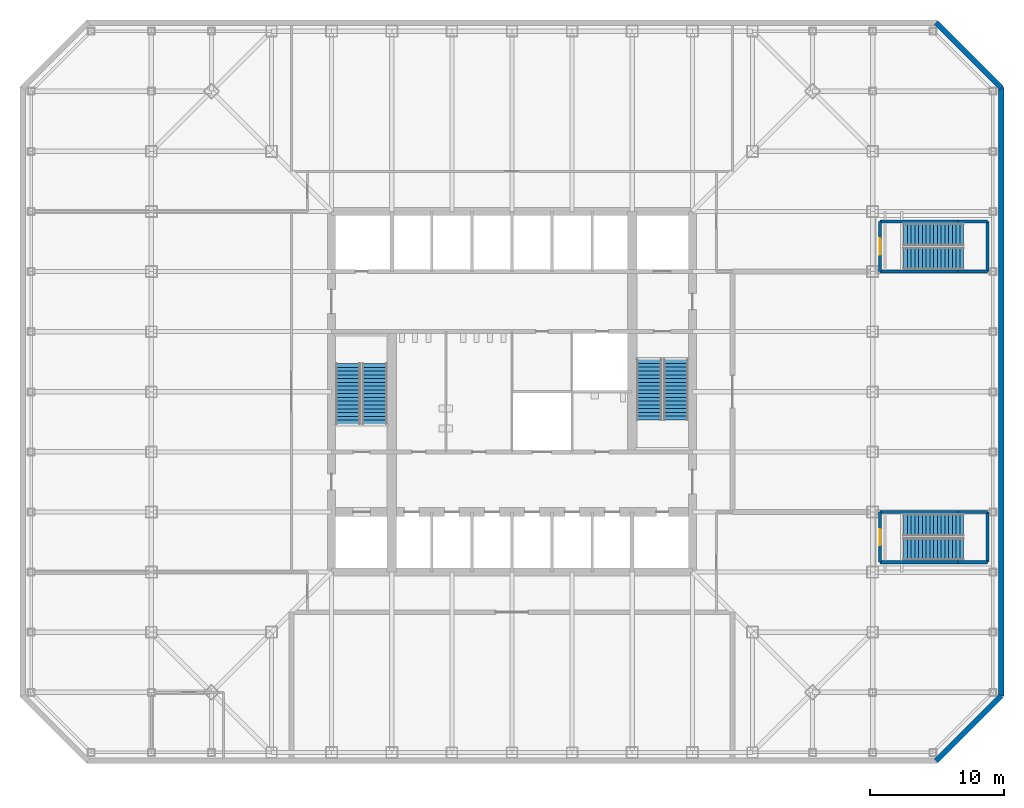
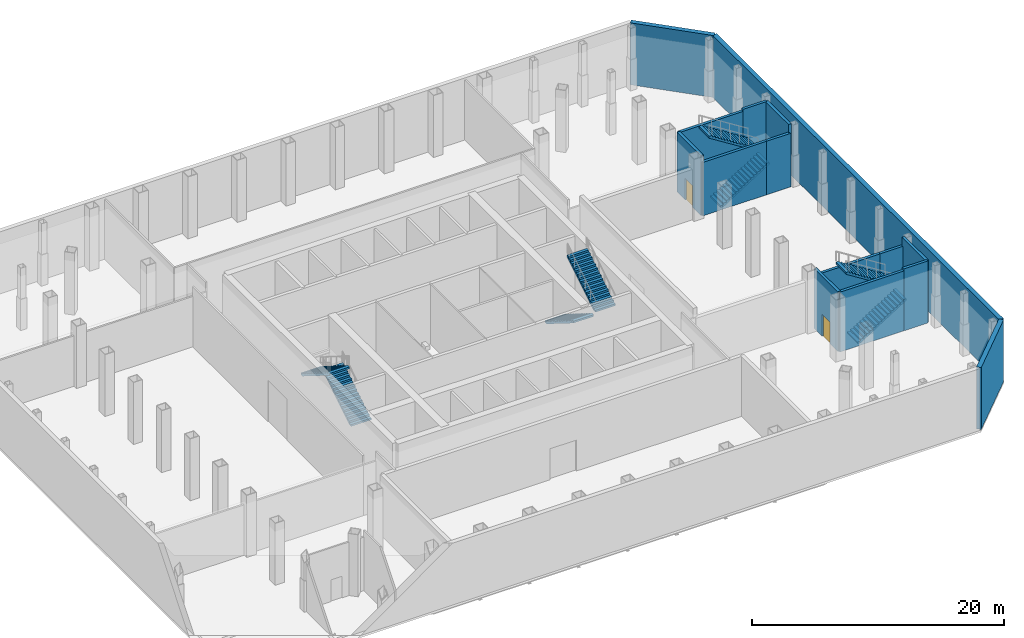
# One storey, part 9 of 12: 15 walls, 8 stair flights, 2 doors, 2 openings, 4 elements without a shape of their own.
"""IFC4 building model written with IfcOpenShell, lengths in metres."""

from ifc_helpers import new_model, si_unit, direction, frame, frame_2d, origin, place, context, subcontext, project, spatial, polyline, rectangle, outline, extrude, material, layer, layer_set, type_object, element, fill, aggregate, save


model = new_model("IFC4")

# Units and contexts
model_context = context("Model", 3, precision=1e-05, world=origin(), true_north=direction((0.0, 1.0)))
body_context = subcontext(model_context, "Body", "Model", "MODEL_VIEW")
ifc_project = project(units=[si_unit("LENGTHUNIT", "METRE"), si_unit("AREAUNIT", "SQUARE_METRE"), si_unit("VOLUMEUNIT", "CUBIC_METRE"), si_unit("PLANEANGLEUNIT", "RADIAN"), si_unit("MASSUNIT", "GRAM", prefix="KILO")], contexts=[model_context])

# Site, building, storey
site_placement = place(None, origin())
site = spatial("IfcSite", under=ifc_project, at=site_placement, CompositionType="ELEMENT")
building_placement = place(site_placement, origin())
building = spatial("IfcBuilding", under=site, at=building_placement, Name="Corais Broadcast Tower", CompositionType="ELEMENT")
storey_placement = place(building_placement, frame((0.0, 0.0, 6.0)))
storey = spatial("IfcBuildingStorey", under=building, at=storey_placement, Name="L01", CompositionType="ELEMENT", Elevation=6.0)

# Walls
ifc_material_1 = material(Name="Concrete blockwork class A", Category="masonry")
ifc_layer_1 = layer(ifc_material_1, 0.25)
ifc_layer_set_1 = layer_set([ifc_layer_1], Name="Concrete blockwork class A")
wall_type_1 = type_object("IfcWallType", Name="Stair enclosure blockwork 250", PredefinedType="PARTITIONING", material=ifc_layer_set_1)
wall_1_placement = place(storey_placement, frame((54.550048828125, 14.25, 0.0), z_axis=(0.0, 0.0, 1.0), x_axis=(1.0, 0.0, 0.0)))
element("IfcWall", 1, at=wall_1_placement, inside=storey, type_object=wall_type_1, Name="IW6 stair D enclosure L01", PredefinedType="PARTITIONING", context=body_context, shape_type="SweptSolid", body=[
    extrude(rectangle(XDim=5.849853515625, YDim=0.25, at=frame_2d((2.9248046875, 0.0))), origin(), (0.0, 0.0, 1.0), 5.800048828125),
])
wall_2_placement = place(storey_placement, frame((60.39990234375, 18.0, 0.0), z_axis=(0.0, 0.0, 1.0), x_axis=(-1.0, 0.0, 0.0)))
element("IfcWall", 2, at=wall_2_placement, inside=storey, type_object=wall_type_1, Name="IW6 stair D enclosure L01", PredefinedType="PARTITIONING", context=body_context, shape_type="SweptSolid", body=[
    extrude(rectangle(XDim=5.849853515625, YDim=0.25, at=frame_2d((2.9248046875, 0.0))), origin(), (0.0, 0.0, 1.0), 5.18896484375),
])

# Wall, opening, door
wall_3_placement = place(storey_placement, frame((54.550048828125, 18.0, 0.0), z_axis=(0.0, 0.0, 1.0), x_axis=(0.0, -1.0, 0.0)))
wall_3 = element("IfcWall", 3, at=wall_3_placement, inside=storey, type_object=wall_type_1, Name="IW6 stair D enclosure L01", PredefinedType="PARTITIONING", context=body_context, shape_type="SweptSolid", body=[
    extrude(rectangle(XDim=3.75, YDim=0.25, at=frame_2d((1.875, 0.0))), origin(), (0.0, 0.0, 1.0), 5.800048828125),
])
opening_1_placement = place(wall_3_placement, frame((1.27490234375, 0.0, 0.0)))
opening_1 = element("IfcOpeningElement", 4, at=opening_1_placement, cuts=wall_3, Name="Opening FD1", PredefinedType="OPENING", context=body_context, shape_type="SweptSolid", body=[
    extrude(rectangle(XDim=1.199951171875, YDim=2.10009765625, at=frame_2d((0.60009765625, 1.050048828125))), frame((0.0, 0.135009765625, 0.0), z_axis=(0.0, -1.0, 0.0), x_axis=(1.0, 0.0, 0.0)), (0.0, 0.0, 1.0), 0.27001953125),
])
ifc_material_2 = material(Name="Steel fire door", Category="steel")
door_type = type_object("IfcDoorType", Name="Fire door 1200x2100", OperationType="SINGLE_SWING_LEFT", PredefinedType="DOOR", material=ifc_material_2)
door_1_placement = place(opening_1_placement, origin())
door_1 = element("IfcDoor", 5, at=door_1_placement, inside=storey, type_object=door_type, Name="FD1 stair D door L01", OperationType="SINGLE_SWING_LEFT", OverallHeight=2.10009765625, OverallWidth=1.199951171875, PredefinedType="DOOR", context=body_context, shape_type="SweptSolid", body=[
    extrude(rectangle(XDim=1.199951171875, YDim=2.10009765625, at=frame_2d((0.60009765625, 1.050048828125))), frame((0.0, 0.02490234375, 0.0), z_axis=(0.0, -1.0, 0.0), x_axis=(1.0, 0.0, 0.0)), (0.0, 0.0, 1.0), 0.050048828125),
])
fill(opening_1, door_1)

# Walls
wall_4_placement = place(storey_placement, frame((54.550048828125, 36.0, 0.0), z_axis=(0.0, 0.0, 1.0), x_axis=(1.0, 0.0, 0.0)))
element("IfcWall", 6, at=wall_4_placement, inside=storey, type_object=wall_type_1, Name="IW6 stair E enclosure L01", PredefinedType="PARTITIONING", context=body_context, shape_type="SweptSolid", body=[
    extrude(rectangle(XDim=5.849853515625, YDim=0.25, at=frame_2d((2.9248046875, 0.0))), origin(), (0.0, 0.0, 1.0), 5.18896484375),
])
wall_5_placement = place(storey_placement, frame((60.39990234375, 39.75, 0.0), z_axis=(0.0, 0.0, 1.0), x_axis=(-1.0, 0.0, 0.0)))
element("IfcWall", 7, at=wall_5_placement, inside=storey, type_object=wall_type_1, Name="IW6 stair E enclosure L01", PredefinedType="PARTITIONING", context=body_context, shape_type="SweptSolid", body=[
    extrude(rectangle(XDim=5.849853515625, YDim=0.25, at=frame_2d((2.9248046875, 0.0))), origin(), (0.0, 0.0, 1.0), 5.800048828125),
])

# Wall, opening, door
wall_6_placement = place(storey_placement, frame((54.550048828125, 39.75, 0.0), z_axis=(0.0, 0.0, 1.0), x_axis=(0.0, -1.0, 0.0)))
wall_6 = element("IfcWall", 8, at=wall_6_placement, inside=storey, type_object=wall_type_1, Name="IW6 stair E enclosure L01", PredefinedType="PARTITIONING", context=body_context, shape_type="SweptSolid", body=[
    extrude(rectangle(XDim=3.75, YDim=0.25, at=frame_2d((1.875, 0.0))), origin(), (0.0, 0.0, 1.0), 5.800048828125),
])
opening_2_placement = place(wall_6_placement, frame((1.27490234375, 0.0, 0.0)))
opening_2 = element("IfcOpeningElement", 9, at=opening_2_placement, cuts=wall_6, Name="Opening FD1", PredefinedType="OPENING", context=body_context, shape_type="SweptSolid", body=[
    extrude(rectangle(XDim=1.199951171875, YDim=2.10009765625, at=frame_2d((0.60009765625, 1.050048828125))), frame((0.0, 0.135009765625, 0.0), z_axis=(0.0, -1.0, 0.0), x_axis=(1.0, 0.0, 0.0)), (0.0, 0.0, 1.0), 0.27001953125),
])
door_2_placement = place(opening_2_placement, origin())
door_2 = element("IfcDoor", 10, at=door_2_placement, inside=storey, type_object=door_type, Name="FD1 stair E door L01", OperationType="SINGLE_SWING_LEFT", OverallHeight=2.10009765625, OverallWidth=1.199951171875, PredefinedType="DOOR", context=body_context, shape_type="SweptSolid", body=[
    extrude(rectangle(XDim=1.199951171875, YDim=2.10009765625, at=frame_2d((0.60009765625, 1.050048828125))), frame((0.0, 0.02490234375, 0.0), z_axis=(0.0, -1.0, 0.0), x_axis=(1.0, 0.0, 0.0)), (0.0, 0.0, 1.0), 0.050048828125),
])
fill(opening_2, door_2)

# Walls
ifc_material_3 = material(Name="Concrete C40/50", Category="concrete")
ifc_layer_2 = layer(ifc_material_3, 0.25)
ifc_layer_set_2 = layer_set([ifc_layer_2], Name="Concrete C40/50")
wall_type_2 = type_object("IfcWallType", Name="Stair enclosure wall 250", PredefinedType="SOLIDWALL", material=ifc_layer_set_2)
wall_7_placement = place(storey_placement, frame((60.39990234375, 14.25, 0.0), z_axis=(0.0, 0.0, 1.0), x_axis=(1.0, 0.0, 0.0)))
element("IfcWall", 11, at=wall_7_placement, inside=storey, type_object=wall_type_2, Name="IW5 stair D enclosure L01", PredefinedType="SOLIDWALL", context=body_context, shape_type="SweptSolid", body=[
    extrude(rectangle(XDim=2.2001953125, YDim=0.25, at=frame_2d((1.10009765625, 0.0))), origin(), (0.0, 0.0, 1.0), 6.0),
])
wall_8_placement = place(storey_placement, frame((62.60009765625, 14.25, 0.0), z_axis=(0.0, 0.0, 1.0), x_axis=(0.0, 1.0, 0.0)))
element("IfcWall", 12, at=wall_8_placement, inside=storey, type_object=wall_type_2, Name="IW5 stair D enclosure L01", PredefinedType="SOLIDWALL", context=body_context, shape_type="SweptSolid", body=[
    extrude(rectangle(XDim=3.75, YDim=0.25, at=frame_2d((1.875, 0.0))), origin(), (0.0, 0.0, 1.0), 6.0),
])
for number, where, z_axis, x_axis, name in (
    (13, (62.60009765625, 18.0, 0.0), (0.0, 0.0, 1.0), (-1.0, 0.0, 0.0), "IW5 stair D enclosure L01"),
    (14, (60.39990234375, 36.0, 0.0), (0.0, 0.0, 1.0), (1.0, 0.0, 0.0), "IW5 stair E enclosure L01"),
):
    element("IfcWall", number, at=place(storey_placement, frame(where, z_axis=z_axis, x_axis=x_axis)), inside=storey, type_object=wall_type_2, Name=name, PredefinedType="SOLIDWALL", context=body_context, shape_type="SweptSolid", body=[
        extrude(rectangle(XDim=2.2001953125, YDim=0.25, at=frame_2d((1.10009765625, 0.0))), origin(), (0.0, 0.0, 1.0), 5.18896484375),
    ])
wall_9_placement = place(storey_placement, frame((62.60009765625, 36.0, 0.0), z_axis=(0.0, 0.0, 1.0), x_axis=(0.0, 1.0, 0.0)))
element("IfcWall", 15, at=wall_9_placement, inside=storey, type_object=wall_type_2, Name="IW5 stair E enclosure L01", PredefinedType="SOLIDWALL", context=body_context, shape_type="SweptSolid", body=[
    extrude(rectangle(XDim=3.75, YDim=0.25, at=frame_2d((1.875, 0.0))), origin(), (0.0, 0.0, 1.0), 6.0),
])
wall_10_placement = place(storey_placement, frame((62.60009765625, 39.75, 0.0), z_axis=(0.0, 0.0, 1.0), x_axis=(-1.0, 0.0, 0.0)))
element("IfcWall", 16, at=wall_10_placement, inside=storey, type_object=wall_type_2, Name="IW5 stair E enclosure L01", PredefinedType="SOLIDWALL", context=body_context, shape_type="SweptSolid", body=[
    extrude(rectangle(XDim=2.2001953125, YDim=0.25, at=frame_2d((1.10009765625, 0.0))), origin(), (0.0, 0.0, 1.0), 6.0),
])
ifc_material_4 = material(Name="Precast concrete C40/50", Category="concrete")
ifc_layer_3 = layer(ifc_material_4, 0.39990234375)
ifc_layer_set_3 = layer_set([ifc_layer_3], Name="Precast concrete C40/50")
wall_type_3 = type_object("IfcWallType", Name="Stone-faced acoustic wall 400", PredefinedType="SOLIDWALL", material=ifc_layer_set_3)
wall_11_placement = place(storey_placement, frame((58.760986328125, 54.6298828125, 0.0), z_axis=(0.0, 0.0, 1.0), x_axis=(0.707106781187, -0.707106781187, 0.0)))
element("IfcWall", 17, at=wall_11_placement, inside=storey, type_object=wall_type_3, Name="EW2 external wall L01 5", PredefinedType="SOLIDWALL", context=body_context, shape_type="SweptSolid", body=[
    extrude(rectangle(XDim=6.8857421875, YDim=0.39990234375, at=frame_2d((3.44287109375, 0.0))), origin(), (0.0, 0.0, 1.0), 6.0),
])
wall_12_placement = place(storey_placement, frame((63.6298828125, 49.760986328125, 0.0), z_axis=(0.0, 0.0, 1.0), x_axis=(0.0, -1.0, 0.0)))
element("IfcWall", 18, at=wall_12_placement, inside=storey, type_object=wall_type_3, Name="EW2 external wall L01 6", PredefinedType="SOLIDWALL", context=body_context, shape_type="SweptSolid", body=[
    extrude(rectangle(XDim=45.52197265625, YDim=0.39990234375, at=frame_2d((22.760986328125, 0.0))), origin(), (0.0, 0.0, 1.0), 6.0),
])
wall_13_placement = place(storey_placement, frame((63.6298828125, 4.239013671875, 0.0), z_axis=(0.0, 0.0, 1.0), x_axis=(-0.707106781187, -0.707106781187, 0.0)))
element("IfcWall", 19, at=wall_13_placement, inside=storey, type_object=wall_type_3, Name="EW2 external wall L01 7", PredefinedType="SOLIDWALL", context=body_context, shape_type="SweptSolid", body=[
    extrude(rectangle(XDim=6.8857421875, YDim=0.39990234375, at=frame_2d((3.44287109375, 0.0))), origin(), (0.0, 0.0, 1.0), 6.0),
])

# Stair, stair flights
ifc_material_5 = material(Name="Concrete C30/37", Category="concrete")
stair_type_1 = type_object("IfcStairType", Name="Podium half-turn stair 6000", PredefinedType="HALF_TURN_STAIR", material=ifc_material_5)
stair_1_placement = place(storey_placement, origin())
stair_1 = element("IfcStair", 20, at=stair_1_placement, inside=storey, type_object=stair_type_1, Name="Stair D L01", PredefinedType="HALF_TURN_STAIR")
ifc_material_6 = material(Name="Concrete C30/37", Category="concrete")
stair_flight_type_1 = type_object("IfcStairFlightType", Name="Podium stair flight 6000", PredefinedType="STRAIGHT", material=ifc_material_6)
stair_flight_1_placement = place(storey_placement, frame((56.324951171875, 15.22509765625, 0.0), z_axis=(0.0, 0.0, 1.0), x_axis=(1.0, 0.0, 0.0)))
stair_flight_1 = element("IfcStairFlight", 21, at=stair_flight_1_placement, type_object=stair_flight_type_1, Name="STD flight 1", NumberOfRisers=17, NumberOfTreads=16, PredefinedType="STRAIGHT", RiserHeight=0.176470588, TreadLength=0.28, context=body_context, shape_type="SweptSolid", body=[
    extrude(outline(polyline([(0.0, 0.0), (0.0, 0.176513671875), (0.280029296875, 0.176513671875), (0.280029296875, 0.35302734375), (0.56005859375, 0.35302734375), (0.56005859375, 0.529296875), (0.840087890625, 0.529296875), (0.840087890625, 0.705810546875), (1.1201171875, 0.705810546875), (1.1201171875, 0.88232421875), (1.39990234375, 0.88232421875), (1.39990234375, 1.058837890625), (1.679931640625, 1.058837890625), (1.679931640625, 1.2353515625), (1.9599609375, 1.2353515625), (1.9599609375, 1.411865234375), (2.239990234375, 1.411865234375), (2.239990234375, 1.588134765625), (2.52001953125, 1.588134765625), (2.52001953125, 1.7646484375), (2.800048828125, 1.7646484375), (2.800048828125, 1.941162109375), (3.080078125, 1.941162109375), (3.080078125, 2.11767578125), (3.360107421875, 2.11767578125), (3.360107421875, 2.294189453125), (3.639892578125, 2.294189453125), (3.639892578125, 2.470703125), (3.919921875, 2.470703125), (3.919921875, 2.64697265625), (4.199951171875, 2.64697265625), (4.199951171875, 2.823486328125), (4.47998046875, 2.823486328125), (4.47998046875, 3.0), (4.47998046875, 2.646240234375), (0.28125, 0.0), (0.0, 0.0)])), frame((0.0, 0.824951171875, 0.0), z_axis=(0.0, -1.0, 0.0), x_axis=(1.0, 0.0, 0.0)), (0.0, 0.0, 1.0), 1.64990234375),
])
stair_flight_2_placement = place(storey_placement, frame((60.804931640625, 17.02490234375, 3.0), z_axis=(0.0, 0.0, 1.0), x_axis=(-1.0, 0.0, 0.0)))
stair_flight_2 = element("IfcStairFlight", 22, at=stair_flight_2_placement, type_object=stair_flight_type_1, Name="STD flight 2", NumberOfRisers=17, NumberOfTreads=16, PredefinedType="STRAIGHT", RiserHeight=0.176470588, TreadLength=0.28, context=body_context, shape_type="SweptSolid", body=[
    extrude(outline(polyline([(0.0, 0.0), (0.0, 0.176513671875), (0.280029296875, 0.176513671875), (0.280029296875, 0.35302734375), (0.56005859375, 0.35302734375), (0.56005859375, 0.529296875), (0.840087890625, 0.529296875), (0.840087890625, 0.705810546875), (1.1201171875, 0.705810546875), (1.1201171875, 0.88232421875), (1.39990234375, 0.88232421875), (1.39990234375, 1.058837890625), (1.679931640625, 1.058837890625), (1.679931640625, 1.2353515625), (1.9599609375, 1.2353515625), (1.9599609375, 1.411865234375), (2.239990234375, 1.411865234375), (2.239990234375, 1.588134765625), (2.52001953125, 1.588134765625), (2.52001953125, 1.7646484375), (2.800048828125, 1.7646484375), (2.800048828125, 1.941162109375), (3.080078125, 1.941162109375), (3.080078125, 2.11767578125), (3.360107421875, 2.11767578125), (3.360107421875, 2.294189453125), (3.639892578125, 2.294189453125), (3.639892578125, 2.470703125), (3.919921875, 2.470703125), (3.919921875, 2.64697265625), (4.199951171875, 2.64697265625), (4.199951171875, 2.823486328125), (4.47998046875, 2.823486328125), (4.47998046875, 3.0), (4.47998046875, 2.646240234375), (0.28125, 0.0), (0.0, 0.0)])), frame((0.0, 0.824951171875, 0.0), z_axis=(0.0, -1.0, 0.0), x_axis=(1.0, 0.0, 0.0)), (0.0, 0.0, 1.0), 1.64990234375),
])
aggregate(stair_1, [stair_flight_1, stair_flight_2])

stair_2_placement = place(storey_placement, origin())
stair_2 = element("IfcStair", 23, at=stair_2_placement, inside=storey, type_object=stair_type_1, Name="Stair E L01", PredefinedType="HALF_TURN_STAIR")
stair_flight_3_placement = place(storey_placement, frame((56.324951171875, 36.97509765625, 0.0), z_axis=(0.0, 0.0, 1.0), x_axis=(1.0, 0.0, 0.0)))
stair_flight_3 = element("IfcStairFlight", 24, at=stair_flight_3_placement, type_object=stair_flight_type_1, Name="STE flight 1", NumberOfRisers=17, NumberOfTreads=16, PredefinedType="STRAIGHT", RiserHeight=0.176470588, TreadLength=0.28, context=body_context, shape_type="SweptSolid", body=[
    extrude(outline(polyline([(0.0, 0.0), (0.0, 0.176513671875), (0.280029296875, 0.176513671875), (0.280029296875, 0.35302734375), (0.56005859375, 0.35302734375), (0.56005859375, 0.529296875), (0.840087890625, 0.529296875), (0.840087890625, 0.705810546875), (1.1201171875, 0.705810546875), (1.1201171875, 0.88232421875), (1.39990234375, 0.88232421875), (1.39990234375, 1.058837890625), (1.679931640625, 1.058837890625), (1.679931640625, 1.2353515625), (1.9599609375, 1.2353515625), (1.9599609375, 1.411865234375), (2.239990234375, 1.411865234375), (2.239990234375, 1.588134765625), (2.52001953125, 1.588134765625), (2.52001953125, 1.7646484375), (2.800048828125, 1.7646484375), (2.800048828125, 1.941162109375), (3.080078125, 1.941162109375), (3.080078125, 2.11767578125), (3.360107421875, 2.11767578125), (3.360107421875, 2.294189453125), (3.639892578125, 2.294189453125), (3.639892578125, 2.470703125), (3.919921875, 2.470703125), (3.919921875, 2.64697265625), (4.199951171875, 2.64697265625), (4.199951171875, 2.823486328125), (4.47998046875, 2.823486328125), (4.47998046875, 3.0), (4.47998046875, 2.646240234375), (0.28125, 0.0), (0.0, 0.0)])), frame((0.0, 0.824951171875, 0.0), z_axis=(0.0, -1.0, 0.0), x_axis=(1.0, 0.0, 0.0)), (0.0, 0.0, 1.0), 1.64990234375),
])
stair_flight_4_placement = place(storey_placement, frame((60.804931640625, 38.77490234375, 3.0), z_axis=(0.0, 0.0, 1.0), x_axis=(-1.0, 0.0, 0.0)))
stair_flight_4 = element("IfcStairFlight", 25, at=stair_flight_4_placement, type_object=stair_flight_type_1, Name="STE flight 2", NumberOfRisers=17, NumberOfTreads=16, PredefinedType="STRAIGHT", RiserHeight=0.176470588, TreadLength=0.28, context=body_context, shape_type="SweptSolid", body=[
    extrude(outline(polyline([(0.0, 0.0), (0.0, 0.176513671875), (0.280029296875, 0.176513671875), (0.280029296875, 0.35302734375), (0.56005859375, 0.35302734375), (0.56005859375, 0.529296875), (0.840087890625, 0.529296875), (0.840087890625, 0.705810546875), (1.1201171875, 0.705810546875), (1.1201171875, 0.88232421875), (1.39990234375, 0.88232421875), (1.39990234375, 1.058837890625), (1.679931640625, 1.058837890625), (1.679931640625, 1.2353515625), (1.9599609375, 1.2353515625), (1.9599609375, 1.411865234375), (2.239990234375, 1.411865234375), (2.239990234375, 1.588134765625), (2.52001953125, 1.588134765625), (2.52001953125, 1.7646484375), (2.800048828125, 1.7646484375), (2.800048828125, 1.941162109375), (3.080078125, 1.941162109375), (3.080078125, 2.11767578125), (3.360107421875, 2.11767578125), (3.360107421875, 2.294189453125), (3.639892578125, 2.294189453125), (3.639892578125, 2.470703125), (3.919921875, 2.470703125), (3.919921875, 2.64697265625), (4.199951171875, 2.64697265625), (4.199951171875, 2.823486328125), (4.47998046875, 2.823486328125), (4.47998046875, 3.0), (4.47998046875, 2.646240234375), (0.28125, 0.0), (0.0, 0.0)])), frame((0.0, 0.824951171875, 0.0), z_axis=(0.0, -1.0, 0.0), x_axis=(1.0, 0.0, 0.0)), (0.0, 0.0, 1.0), 1.64990234375),
])
aggregate(stair_2, [stair_flight_3, stair_flight_4])

ifc_material_7 = material(Name="Concrete C30/37", Category="concrete")
stair_type_2 = type_object("IfcStairType", Name="Half-turn stair 6000", PredefinedType="HALF_TURN_STAIR", material=ifc_material_7)
stair_3_placement = place(storey_placement, origin())
stair_3 = element("IfcStair", 26, at=stair_3_placement, inside=storey, type_object=stair_type_2, Name="Stair A L01", PredefinedType="HALF_TURN_STAIR")
ifc_material_8 = material(Name="Concrete C30/37", Category="concrete")
stair_flight_type_2 = type_object("IfcStairFlightType", Name="Stair flight 6000", PredefinedType="STRAIGHT", material=ifc_material_8)
stair_flight_5_placement = place(storey_placement, frame((16.72509765625, 24.60009765625, 0.0), z_axis=(0.0, 0.0, 1.0), x_axis=(0.0, 1.0, 0.0)))
stair_flight_5 = element("IfcStairFlight", 27, at=stair_flight_5_placement, type_object=stair_flight_type_2, Name="STA flight 1", NumberOfRisers=17, NumberOfTreads=16, PredefinedType="STRAIGHT", RiserHeight=0.176470588, TreadLength=0.282, context=body_context, shape_type="SweptSolid", body=[
    extrude(outline(polyline([(0.0, 0.0), (0.0, 0.176513671875), (0.281982421875, 0.176513671875), (0.281982421875, 0.35302734375), (0.56396484375, 0.35302734375), (0.56396484375, 0.529296875), (0.845947265625, 0.529296875), (0.845947265625, 0.705810546875), (1.1279296875, 0.705810546875), (1.1279296875, 0.88232421875), (1.409912109375, 0.88232421875), (1.409912109375, 1.058837890625), (1.69189453125, 1.058837890625), (1.69189453125, 1.2353515625), (1.97412109375, 1.2353515625), (1.97412109375, 1.411865234375), (2.256103515625, 1.411865234375), (2.256103515625, 1.588134765625), (2.5380859375, 1.588134765625), (2.5380859375, 1.7646484375), (2.820068359375, 1.7646484375), (2.820068359375, 1.941162109375), (3.10205078125, 1.941162109375), (3.10205078125, 2.11767578125), (3.384033203125, 2.11767578125), (3.384033203125, 2.294189453125), (3.666015625, 2.294189453125), (3.666015625, 2.470703125), (3.947998046875, 2.470703125), (3.947998046875, 2.64697265625), (4.22998046875, 2.64697265625), (4.22998046875, 2.823486328125), (4.511962890625, 2.823486328125), (4.511962890625, 3.0), (4.511962890625, 2.646728515625), (0.282470703125, 0.0), (0.0, 0.0)])), frame((0.0, 0.925048828125, 0.0), z_axis=(0.0, -1.0, 0.0), x_axis=(1.0, 0.0, 0.0)), (0.0, 0.0, 1.0), 1.85009765625),
])
stair_flight_6_placement = place(storey_placement, frame((14.72509765625, 29.112060546875, 3.0), z_axis=(0.0, 0.0, 1.0), x_axis=(0.0, -1.0, 0.0)))
stair_flight_6 = element("IfcStairFlight", 28, at=stair_flight_6_placement, type_object=stair_flight_type_2, Name="STA flight 2", NumberOfRisers=17, NumberOfTreads=16, PredefinedType="STRAIGHT", RiserHeight=0.176470588, TreadLength=0.282, context=body_context, shape_type="SweptSolid", body=[
    extrude(outline(polyline([(0.0, 0.0), (0.0, 0.176513671875), (0.281982421875, 0.176513671875), (0.281982421875, 0.35302734375), (0.56396484375, 0.35302734375), (0.56396484375, 0.529296875), (0.845947265625, 0.529296875), (0.845947265625, 0.705810546875), (1.1279296875, 0.705810546875), (1.1279296875, 0.88232421875), (1.409912109375, 0.88232421875), (1.409912109375, 1.058837890625), (1.69189453125, 1.058837890625), (1.69189453125, 1.2353515625), (1.97412109375, 1.2353515625), (1.97412109375, 1.411865234375), (2.256103515625, 1.411865234375), (2.256103515625, 1.588134765625), (2.5380859375, 1.588134765625), (2.5380859375, 1.7646484375), (2.820068359375, 1.7646484375), (2.820068359375, 1.941162109375), (3.10205078125, 1.941162109375), (3.10205078125, 2.11767578125), (3.384033203125, 2.11767578125), (3.384033203125, 2.294189453125), (3.666015625, 2.294189453125), (3.666015625, 2.470703125), (3.947998046875, 2.470703125), (3.947998046875, 2.64697265625), (4.22998046875, 2.64697265625), (4.22998046875, 2.823486328125), (4.511962890625, 2.823486328125), (4.511962890625, 3.0), (4.511962890625, 2.646728515625), (0.282470703125, 0.0), (0.0, 0.0)])), frame((0.0, 0.925048828125, 0.0), z_axis=(0.0, -1.0, 0.0), x_axis=(1.0, 0.0, 0.0)), (0.0, 0.0, 1.0), 1.85009765625),
])
aggregate(stair_3, [stair_flight_5, stair_flight_6])

stair_4_placement = place(storey_placement, origin())
stair_4 = element("IfcStair", 29, at=stair_4_placement, inside=storey, type_object=stair_type_2, Name="Stair B L01", PredefinedType="HALF_TURN_STAIR")
stair_flight_7_placement = place(storey_placement, frame((37.27490234375, 29.39990234375, 0.0), z_axis=(0.0, 0.0, 1.0), x_axis=(0.0, -1.0, 0.0)))
stair_flight_7 = element("IfcStairFlight", 30, at=stair_flight_7_placement, type_object=stair_flight_type_2, Name="STB flight 1", NumberOfRisers=17, NumberOfTreads=16, PredefinedType="STRAIGHT", RiserHeight=0.176470588, TreadLength=0.282, context=body_context, shape_type="SweptSolid", body=[
    extrude(outline(polyline([(0.0, 0.0), (0.0, 0.176513671875), (0.281982421875, 0.176513671875), (0.281982421875, 0.35302734375), (0.56396484375, 0.35302734375), (0.56396484375, 0.529296875), (0.845947265625, 0.529296875), (0.845947265625, 0.705810546875), (1.1279296875, 0.705810546875), (1.1279296875, 0.88232421875), (1.409912109375, 0.88232421875), (1.409912109375, 1.058837890625), (1.69189453125, 1.058837890625), (1.69189453125, 1.2353515625), (1.97412109375, 1.2353515625), (1.97412109375, 1.411865234375), (2.256103515625, 1.411865234375), (2.256103515625, 1.588134765625), (2.5380859375, 1.588134765625), (2.5380859375, 1.7646484375), (2.820068359375, 1.7646484375), (2.820068359375, 1.941162109375), (3.10205078125, 1.941162109375), (3.10205078125, 2.11767578125), (3.384033203125, 2.11767578125), (3.384033203125, 2.294189453125), (3.666015625, 2.294189453125), (3.666015625, 2.470703125), (3.947998046875, 2.470703125), (3.947998046875, 2.64697265625), (4.22998046875, 2.64697265625), (4.22998046875, 2.823486328125), (4.511962890625, 2.823486328125), (4.511962890625, 3.0), (4.511962890625, 2.646728515625), (0.282470703125, 0.0), (0.0, 0.0)])), frame((0.0, 0.925048828125, 0.0), z_axis=(0.0, -1.0, 0.0), x_axis=(1.0, 0.0, 0.0)), (0.0, 0.0, 1.0), 1.85009765625),
])
stair_flight_8_placement = place(storey_placement, frame((39.27490234375, 24.887939453125, 3.0), z_axis=(0.0, 0.0, 1.0), x_axis=(0.0, 1.0, 0.0)))
stair_flight_8 = element("IfcStairFlight", 31, at=stair_flight_8_placement, type_object=stair_flight_type_2, Name="STB flight 2", NumberOfRisers=17, NumberOfTreads=16, PredefinedType="STRAIGHT", RiserHeight=0.176470588, TreadLength=0.282, context=body_context, shape_type="SweptSolid", body=[
    extrude(outline(polyline([(0.0, 0.0), (0.0, 0.176513671875), (0.281982421875, 0.176513671875), (0.281982421875, 0.35302734375), (0.56396484375, 0.35302734375), (0.56396484375, 0.529296875), (0.845947265625, 0.529296875), (0.845947265625, 0.705810546875), (1.1279296875, 0.705810546875), (1.1279296875, 0.88232421875), (1.409912109375, 0.88232421875), (1.409912109375, 1.058837890625), (1.69189453125, 1.058837890625), (1.69189453125, 1.2353515625), (1.97412109375, 1.2353515625), (1.97412109375, 1.411865234375), (2.256103515625, 1.411865234375), (2.256103515625, 1.588134765625), (2.5380859375, 1.588134765625), (2.5380859375, 1.7646484375), (2.820068359375, 1.7646484375), (2.820068359375, 1.941162109375), (3.10205078125, 1.941162109375), (3.10205078125, 2.11767578125), (3.384033203125, 2.11767578125), (3.384033203125, 2.294189453125), (3.666015625, 2.294189453125), (3.666015625, 2.470703125), (3.947998046875, 2.470703125), (3.947998046875, 2.64697265625), (4.22998046875, 2.64697265625), (4.22998046875, 2.823486328125), (4.511962890625, 2.823486328125), (4.511962890625, 3.0), (4.511962890625, 2.646728515625), (0.282470703125, 0.0), (0.0, 0.0)])), frame((0.0, 0.925048828125, 0.0), z_axis=(0.0, -1.0, 0.0), x_axis=(1.0, 0.0, 0.0)), (0.0, 0.0, 1.0), 1.85009765625),
])
aggregate(stair_4, [stair_flight_7, stair_flight_8])

save(model, "model.ifc")
